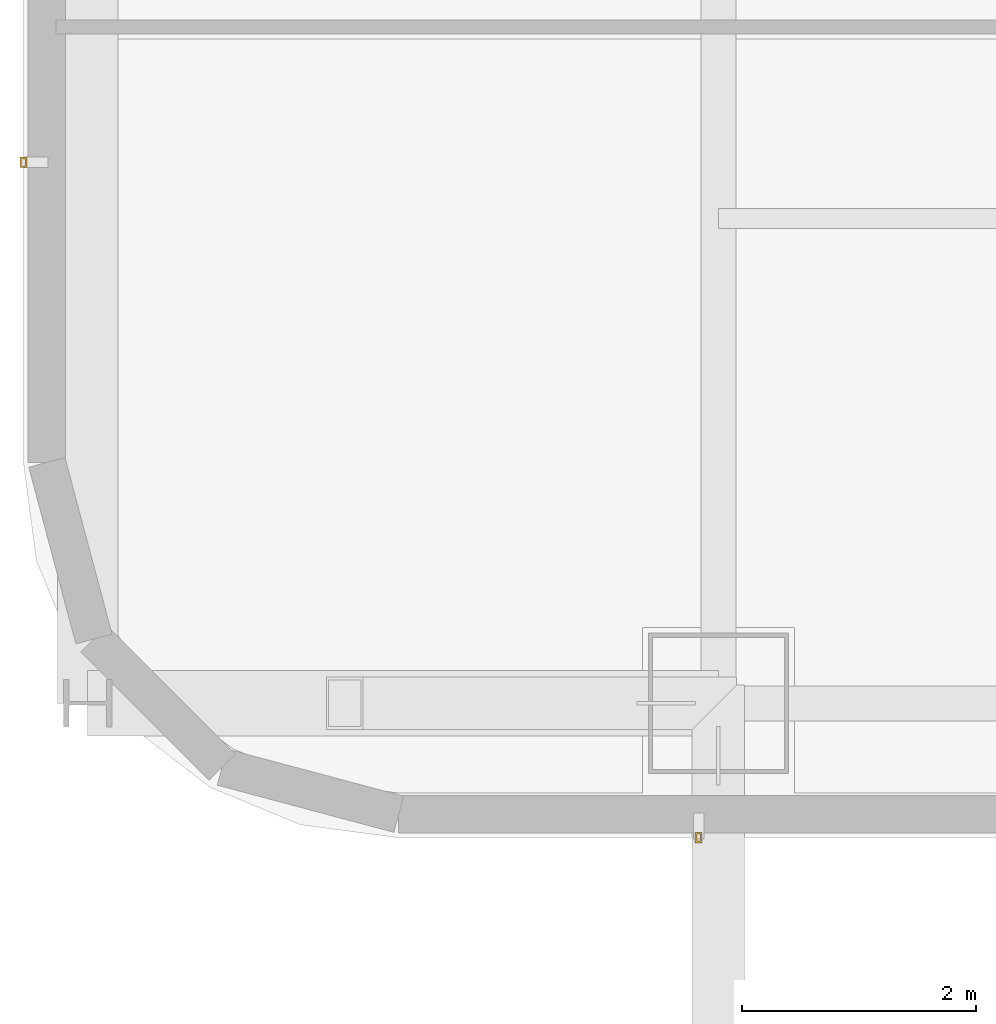
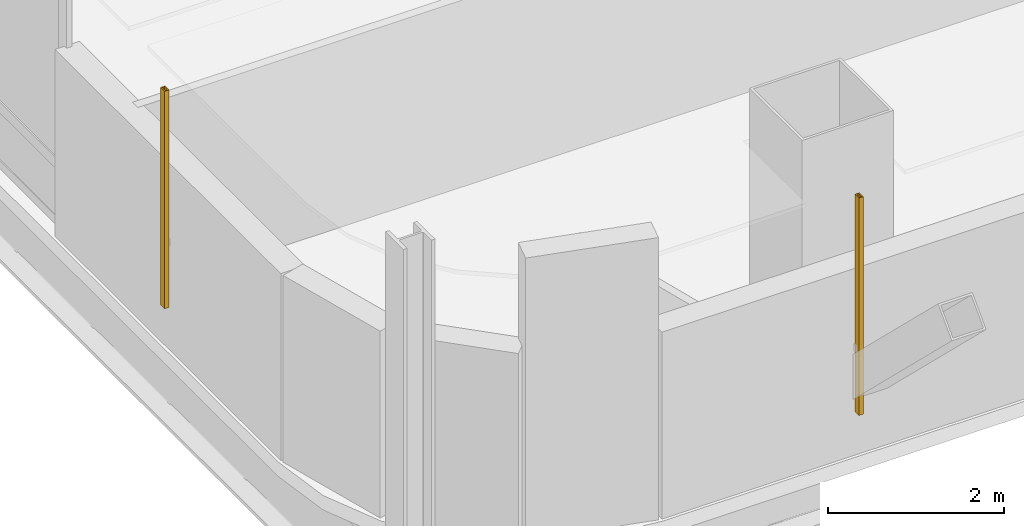
# One storey, part 39 of 51: 2 shading devices.
"""IFC4 building model written with IfcOpenShell, lengths in metres."""

from ifc_helpers import new_model, si_unit, direction, frame, origin, origin_2d, place, context, subcontext, project, spatial, hollow_rectangle, extrude, material, material_profile, profile_set, type_object, element, save


model = new_model("IFC4")

# Units and contexts
model_context = context("Model", 3, precision=1e-05, world=origin(), true_north=direction((0.0, 1.0)))
body_context = subcontext(model_context, "Body", "Model", "MODEL_VIEW")
ifc_project = project(units=[si_unit("LENGTHUNIT", "METRE"), si_unit("AREAUNIT", "SQUARE_METRE"), si_unit("VOLUMEUNIT", "CUBIC_METRE"), si_unit("PLANEANGLEUNIT", "RADIAN"), si_unit("MASSUNIT", "GRAM", prefix="KILO")], contexts=[model_context])

# Site, building, storey
site_placement = place(None, origin())
site = spatial("IfcSite", under=ifc_project, at=site_placement, CompositionType="ELEMENT")
building_placement = place(site_placement, origin())
building = spatial("IfcBuilding", under=site, at=building_placement, Name="Punatoya Terracotta Tower", CompositionType="ELEMENT")
storey_placement = place(building_placement, frame((0.0, 0.0, 313.199951171875)))
storey = spatial("IfcBuildingStorey", under=building, at=storey_placement, Name="L74", CompositionType="ELEMENT", Elevation=313.199951171875)

# Shading devices
ifc_material = material(Name="Architectural Fired Terracotta", Category="masonry")
ifc_material_profile = material_profile(ifc_material, hollow_rectangle(XDim=0.06005859375, YDim=0.090087890625, WallThickness=0.013916015625, at=origin_2d()))
ifc_profile_set = profile_set([ifc_material_profile], Name="Architectural Fired Terracotta")
shading_device_type = type_object("IfcShadingDeviceType", Name="SHD-JALI-90", PredefinedType="JALOUSIE", material=ifc_profile_set)
for number, where, z_axis, x_axis, name in (
    (1, (-19.2685546875, -18.64990234375, 0.60009765625), (0.0, 0.0, 1.0), (1.0, 0.0, 0.0), "L74 Braced Bay Terracotta Jali Fin S1"),
    (2, (-25.050048828125, -12.868408203125, 0.60009765625), (0.0, 0.0, 1.0), (1.0, 0.0, 0.0), "L74 Braced Bay Terracotta Jali Fin W2"),
):
    element("IfcShadingDevice", number, at=place(storey_placement, frame(where, z_axis=z_axis, x_axis=x_axis)), inside=storey, type_object=shading_device_type, Name=name, PredefinedType="JALOUSIE", context=body_context, shape_type="SweptSolid", body=[
        extrude(hollow_rectangle(XDim=0.06005859375, YDim=0.090087890625, WallThickness=0.013916015625, at=origin_2d()), origin(), (0.0, 0.0, 1.0), 3.02001953125),
    ])

save(model, "model.ifc")
